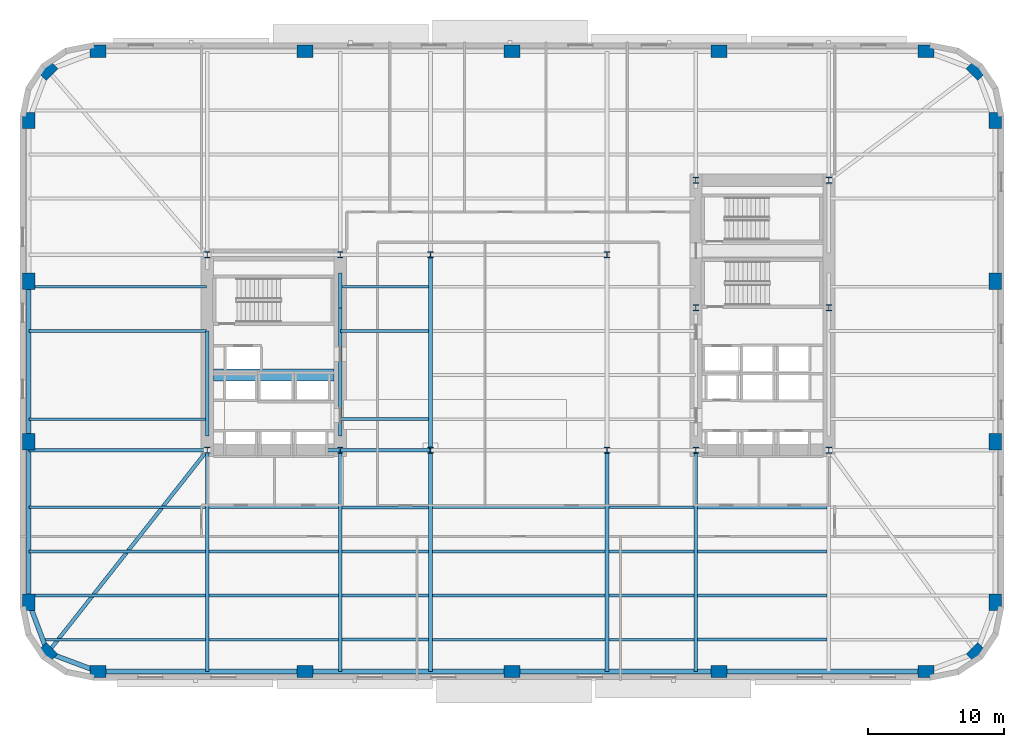
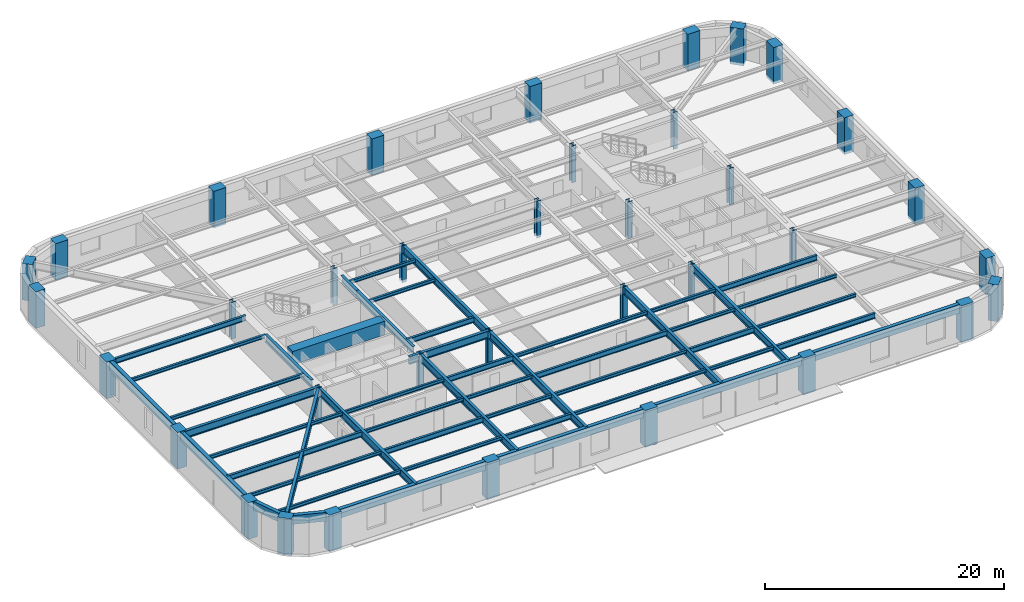
# One storey, part 1 of 14: 51 beams, 36 columns.
"""IFC4 building model written with IfcOpenShell, lengths in metres."""

from ifc_helpers import new_model, si_unit, direction, frame, origin, origin_2d, place, context, subcontext, project, spatial, rectangle, hollow_rectangle, i_section, extrude, material, material_profile, profile_set, type_object, element, save


model = new_model("IFC4")

# Units and contexts
model_context = context("Model", 3, precision=1e-05, world=origin(), true_north=direction((0.0, 1.0)))
body_context = subcontext(model_context, "Body", "Model", "MODEL_VIEW")
ifc_project = project(units=[si_unit("LENGTHUNIT", "METRE"), si_unit("AREAUNIT", "SQUARE_METRE"), si_unit("VOLUMEUNIT", "CUBIC_METRE"), si_unit("PLANEANGLEUNIT", "RADIAN"), si_unit("MASSUNIT", "GRAM", prefix="KILO")], contexts=[model_context])

# Site, building, storey
site_placement = place(None, origin())
site = spatial("IfcSite", under=ifc_project, at=site_placement, CompositionType="ELEMENT")
building_placement = place(site_placement, origin())
building = spatial("IfcBuilding", under=site, at=building_placement, Name="Kolvaren Arena Tower", CompositionType="ELEMENT")
storey_placement = place(building_placement, frame((0.0, 0.0, 53.25)))
storey = spatial("IfcBuildingStorey", under=building, at=storey_placement, Name="L10", CompositionType="ELEMENT", Elevation=53.25)

# Columns
ifc_material_1 = material(Name="Precast concrete C70/85", Category="concrete")
ifc_material_profile_1 = material_profile(ifc_material_1, rectangle(XDim=1.199951171875, YDim=0.89990234375, at=origin_2d()), Name="RC-1200x900")
ifc_profile_set_1 = profile_set([ifc_material_profile_1], Name="Precast concrete C70/85")
column_type_1 = type_object("IfcColumnType", Name="EXCOL-Z1", PredefinedType="COLUMN", material=ifc_profile_set_1)
for number, where, z_axis, x_axis, name in (
    (1, (6.5, 3.14990234375, -0.27001953125), (0.0, 0.0, 1.0), (1.0, 0.0, 0.0), "Exoskeleton Perimeter Column 01 (L10)"),
    (2, (21.75, 3.14990234375, -0.27001953125), (0.0, 0.0, 1.0), (1.0, 0.0, 0.0), "Exoskeleton Perimeter Column 02 (L10)"),
    (3, (37.0, 3.14990234375, -0.27001953125), (0.0, 0.0, 1.0), (1.0, 0.0, 0.0), "Exoskeleton Perimeter Column 03 (L10)"),
    (4, (52.25, 3.14990234375, -0.27001953125), (0.0, 0.0, 1.0), (1.0, 0.0, 0.0), "Exoskeleton Perimeter Column 04 (L10)"),
    (5, (67.5, 3.14990234375, -0.27001953125), (0.0, 0.0, 1.0), (1.0, 0.0, 0.0), "Exoskeleton Perimeter Column 05 (L10)"),
    (6, (71.208740234375, 4.541259765625, -0.27001953125), (0.0, 0.0, 1.0), (0.707106781187, 0.707106781187, 0.0), "Exoskeleton Perimeter Column 06 (L10)"),
    (7, (72.60009765625, 8.25, -0.27001953125), (0.0, 0.0, 1.0), (0.0, 1.0, 0.0), "Exoskeleton Perimeter Column 07 (L10)"),
    (8, (72.60009765625, 20.083251953125, -0.27001953125), (0.0, 0.0, 1.0), (0.0, 1.0, 0.0), "Exoskeleton Perimeter Column 08 (L10)"),
    (9, (72.60009765625, 31.916748046875, -0.27001953125), (0.0, 0.0, 1.0), (0.0, 1.0, 0.0), "Exoskeleton Perimeter Column 09 (L10)"),
    (10, (72.60009765625, 43.75, -0.27001953125), (0.0, 0.0, 1.0), (0.0, 1.0, 0.0), "Exoskeleton Perimeter Column 10 (L10)"),
    (11, (71.208740234375, 47.458740234375, -0.27001953125), (0.0, 0.0, 1.0), (-0.707106781187, 0.707106781187, 0.0), "Exoskeleton Perimeter Column 11 (L10)"),
    (12, (67.5, 48.85009765625, -0.27001953125), (0.0, 0.0, 1.0), (1.0, 0.0, 0.0), "Exoskeleton Perimeter Column 12 (L10)"),
    (13, (52.25, 48.85009765625, -0.27001953125), (0.0, 0.0, 1.0), (1.0, 0.0, 0.0), "Exoskeleton Perimeter Column 13 (L10)"),
    (14, (37.0, 48.85009765625, -0.27001953125), (0.0, 0.0, 1.0), (1.0, 0.0, 0.0), "Exoskeleton Perimeter Column 14 (L10)"),
    (15, (21.75, 48.85009765625, -0.27001953125), (0.0, 0.0, 1.0), (1.0, 0.0, 0.0), "Exoskeleton Perimeter Column 15 (L10)"),
    (16, (6.5, 48.85009765625, -0.27001953125), (0.0, 0.0, 1.0), (1.0, 0.0, 0.0), "Exoskeleton Perimeter Column 16 (L10)"),
    (17, (2.791259765625, 47.458740234375, -0.27001953125), (0.0, 0.0, 1.0), (0.707106781187, 0.707106781187, 0.0), "Exoskeleton Perimeter Column 17 (L10)"),
    (18, (1.39990234375, 43.75, -0.27001953125), (0.0, 0.0, 1.0), (0.0, 1.0, 0.0), "Exoskeleton Perimeter Column 18 (L10)"),
    (19, (1.39990234375, 31.916748046875, -0.27001953125), (0.0, 0.0, 1.0), (0.0, 1.0, 0.0), "Exoskeleton Perimeter Column 19 (L10)"),
    (20, (1.39990234375, 20.083251953125, -0.27001953125), (0.0, 0.0, 1.0), (0.0, 1.0, 0.0), "Exoskeleton Perimeter Column 20 (L10)"),
    (21, (1.39990234375, 8.25, -0.27001953125), (0.0, 0.0, 1.0), (0.0, 1.0, 0.0), "Exoskeleton Perimeter Column 21 (L10)"),
    (22, (2.791259765625, 4.541259765625, -0.27001953125), (0.0, 0.0, 1.0), (-0.707106781187, 0.707106781187, 0.0), "Exoskeleton Perimeter Column 22 (L10)"),
):
    element("IfcColumn", number, at=place(storey_placement, frame(where, z_axis=z_axis, x_axis=x_axis)), inside=storey, type_object=column_type_1, Name=name, PredefinedType="COLUMN", context=body_context, shape_type="SweptSolid", body=[
        extrude(rectangle(XDim=1.199951171875, YDim=0.89990234375, at=origin_2d()), origin(), (0.0, 0.0, 1.0), 3.75),
    ])
ifc_material_2 = material(Name="Steel ASTM A913 Grade 65", Category="steel")
ifc_material_profile_2 = material_profile(ifc_material_2, i_section(OverallWidth=0.424072265625, OverallDepth=0.47412109375, WebThickness=0.047607421875, FlangeThickness=0.076904296875, FilletRadius=0.02001953125, at=origin_2d()), Name="W360x634")
ifc_profile_set_2 = profile_set([ifc_material_profile_2], Name="Steel ASTM A913 Grade 65")
column_type_2 = type_object("IfcColumnType", Name="SCOL-Z1", PredefinedType="COLUMN", material=ifc_profile_set_2)
for number, where, z_axis, x_axis, name in (
    (23, (14.550048828125, 19.449951171875, -0.27001953125), (0.0, 0.0, 1.0), (1.0, 0.0, 0.0), "Core Boundary Column WC-SW (L10)"),
    (24, (24.35009765625, 19.449951171875, -0.27001953125), (0.0, 0.0, 1.0), (1.0, 0.0, 0.0), "Core Boundary Column WC-SE (L10)"),
    (25, (14.550048828125, 33.85009765625, -0.27001953125), (0.0, 0.0, 1.0), (1.0, 0.0, 0.0), "Core Boundary Column WC-NW (L10)"),
    (26, (24.35009765625, 33.85009765625, -0.27001953125), (0.0, 0.0, 1.0), (1.0, 0.0, 0.0), "Core Boundary Column WC-NE (L10)"),
    (27, (50.550048828125, 19.449951171875, -0.27001953125), (0.0, 0.0, 1.0), (1.0, 0.0, 0.0), "Core Boundary Column EC-SW (L10)"),
    (28, (60.35009765625, 19.449951171875, -0.27001953125), (0.0, 0.0, 1.0), (1.0, 0.0, 0.0), "Core Boundary Column EC-SE (L10)"),
    (29, (50.550048828125, 29.949951171875, -0.27001953125), (0.0, 0.0, 1.0), (1.0, 0.0, 0.0), "Core Boundary Column EC-MW (L10)"),
    (30, (60.35009765625, 29.949951171875, -0.27001953125), (0.0, 0.0, 1.0), (1.0, 0.0, 0.0), "Core Boundary Column EC-ME (L10)"),
    (31, (50.550048828125, 39.35009765625, -0.27001953125), (0.0, 0.0, 1.0), (1.0, 0.0, 0.0), "Core Boundary Column EC-NW (L10)"),
    (32, (60.35009765625, 39.35009765625, -0.27001953125), (0.0, 0.0, 1.0), (1.0, 0.0, 0.0), "Core Boundary Column EC-NE (L10)"),
    (33, (31.0, 19.449951171875, -0.27001953125), (0.0, 0.0, 1.0), (1.0, 0.0, 0.0), "Interior Gravity Column TC-SW (L10)"),
    (34, (44.0, 19.449951171875, -0.27001953125), (0.0, 0.0, 1.0), (1.0, 0.0, 0.0), "Interior Gravity Column TC-SE (L10)"),
    (35, (31.0, 33.85009765625, -0.27001953125), (0.0, 0.0, 1.0), (1.0, 0.0, 0.0), "Interior Gravity Column TC-NW (L10)"),
    (36, (44.0, 33.85009765625, -0.27001953125), (0.0, 0.0, 1.0), (1.0, 0.0, 0.0), "Interior Gravity Column TC-NE (L10)"),
):
    element("IfcColumn", number, at=place(storey_placement, frame(where, z_axis=z_axis, x_axis=x_axis)), inside=storey, type_object=column_type_2, Name=name, PredefinedType="COLUMN", context=body_context, shape_type="SweptSolid", body=[
        extrude(i_section(OverallWidth=0.424072265625, OverallDepth=0.47412109375, WebThickness=0.047607421875, FlangeThickness=0.076904296875, FilletRadius=0.02001953125, at=origin_2d()), origin(), (0.0, 0.0, 1.0), 3.75),
    ])

# Beams
ifc_material_3 = material(Name="Steel CSA G40.21 350W", Category="steel")
ifc_material_profile_3 = material_profile(ifc_material_3, i_section(OverallWidth=0.2119140625, OverallDepth=0.54296875, WebThickness=0.01318359375, FlangeThickness=0.0244140625, FilletRadius=0.013916015625, at=origin_2d()), Name="W530x150")
ifc_profile_set_3 = profile_set([ifc_material_profile_3], Name="Steel CSA G40.21 350W")
beam_type_1 = type_object("IfcBeamType", Name="BEAM-F1", PredefinedType="BEAM", material=ifc_profile_set_3)
beam_1_placement = place(storey_placement, frame((24.485107421875, 5.5, 3.20849609375), z_axis=(1.0, 0.0, 0.0), x_axis=(0.0, 1.0, 0.0)))
element("IfcBeam", 37, at=beam_1_placement, inside=storey, type_object=beam_type_1, Name="Composite Floor Beam (L10)", PredefinedType="BEAM", context=body_context, shape_type="SweptSolid", body=[
    extrude(i_section(OverallWidth=0.2119140625, OverallDepth=0.54296875, WebThickness=0.01318359375, FlangeThickness=0.0244140625, FilletRadius=0.013916015625, at=origin_2d()), origin(), (0.0, 0.0, 1.0), 6.3798828125),
])
for number, where, z_axis, x_axis, name in (
    (38, (50.68505859375, 5.5, 3.20849609375), (1.0, 0.0, 0.0), (0.0, 1.0, 0.0), "Composite Floor Beam (L10)"),
    (39, (14.68505859375, 8.75, 3.20849609375), (1.0, 0.0, 0.0), (0.0, 1.0, 0.0), "Composite Floor Beam (L10)"),
):
    element("IfcBeam", number, at=place(storey_placement, frame(where, z_axis=z_axis, x_axis=x_axis)), inside=storey, type_object=beam_type_1, Name=name, PredefinedType="BEAM", context=body_context, shape_type="SweptSolid", body=[
        extrude(i_section(OverallWidth=0.2119140625, OverallDepth=0.54296875, WebThickness=0.01318359375, FlangeThickness=0.0244140625, FilletRadius=0.013916015625, at=origin_2d()), origin(), (0.0, 0.0, 1.0), 9.530029296875),
    ])
beam_2_placement = place(storey_placement, frame((44.135009765625, 8.75, 3.20849609375), z_axis=(1.0, 0.0, 0.0), x_axis=(0.0, 1.0, 0.0)))
element("IfcBeam", 40, at=beam_2_placement, inside=storey, type_object=beam_type_1, Name="Composite Floor Beam (L10)", PredefinedType="BEAM", context=body_context, shape_type="SweptSolid", body=[
    extrude(i_section(OverallWidth=0.2119140625, OverallDepth=0.54296875, WebThickness=0.01318359375, FlangeThickness=0.0244140625, FilletRadius=0.013916015625, at=origin_2d()), origin(), (0.0, 0.0, 1.0), 6.280029296875),
])
beam_3_placement = place(storey_placement, frame((1.39990234375, 12.0, 3.20849609375), z_axis=(1.0, 0.0, 0.0), x_axis=(0.0, 1.0, 0.0)))
element("IfcBeam", 41, at=beam_3_placement, inside=storey, type_object=beam_type_1, Name="Composite Floor Beam (L10)", PredefinedType="BEAM", context=body_context, shape_type="SweptSolid", body=[
    extrude(i_section(OverallWidth=0.2119140625, OverallDepth=0.54296875, WebThickness=0.01318359375, FlangeThickness=0.0244140625, FilletRadius=0.013916015625, at=origin_2d()), origin(), (0.0, 0.0, 1.0), 13.01513671875),
])
beam_4_placement = place(storey_placement, frame((31.135009765625, 12.0, 3.20849609375), z_axis=(1.0, 0.0, 0.0), x_axis=(0.0, 1.0, 0.0)))
element("IfcBeam", 42, at=beam_4_placement, inside=storey, type_object=beam_type_1, Name="Composite Floor Beam (L10)", PredefinedType="BEAM", context=body_context, shape_type="SweptSolid", body=[
    extrude(i_section(OverallWidth=0.2119140625, OverallDepth=0.54296875, WebThickness=0.01318359375, FlangeThickness=0.0244140625, FilletRadius=0.013916015625, at=origin_2d()), origin(), (0.0, 0.0, 1.0), 12.72998046875),
])
beam_5_placement = place(storey_placement, frame((24.485107421875, 15.25, 3.20849609375), z_axis=(1.0, 0.0, 0.0), x_axis=(0.0, 1.0, 0.0)))
element("IfcBeam", 43, at=beam_5_placement, inside=storey, type_object=beam_type_1, Name="Composite Floor Beam (L10)", PredefinedType="BEAM", context=body_context, shape_type="SweptSolid", body=[
    extrude(i_section(OverallWidth=0.2119140625, OverallDepth=0.54296875, WebThickness=0.01318359375, FlangeThickness=0.0244140625, FilletRadius=0.013916015625, at=origin_2d()), origin(), (0.0, 0.0, 1.0), 6.3798828125),
])
beam_6_placement = place(storey_placement, frame((50.68505859375, 15.25, 3.20849609375), z_axis=(1.0, 0.0, 0.0), x_axis=(0.0, 1.0, 0.0)))
element("IfcBeam", 44, at=beam_6_placement, inside=storey, type_object=beam_type_1, Name="Composite Floor Beam (L10)", PredefinedType="BEAM", context=body_context, shape_type="SweptSolid", body=[
    extrude(i_section(OverallWidth=0.2119140625, OverallDepth=0.54296875, WebThickness=0.01318359375, FlangeThickness=0.0244140625, FilletRadius=0.013916015625, at=origin_2d()), origin(), (0.0, 0.0, 1.0), 9.530029296875),
])
beam_7_placement = place(storey_placement, frame((24.3701171875, 21.75, 3.20849609375), z_axis=(1.0, 0.0, 0.0), x_axis=(0.0, 1.0, 0.0)))
element("IfcBeam", 45, at=beam_7_placement, inside=storey, type_object=beam_type_1, Name="Composite Floor Beam (L10)", PredefinedType="BEAM", context=body_context, shape_type="SweptSolid", body=[
    extrude(i_section(OverallWidth=0.2119140625, OverallDepth=0.54296875, WebThickness=0.01318359375, FlangeThickness=0.0244140625, FilletRadius=0.013916015625, at=origin_2d()), origin(), (0.0, 0.0, 1.0), 6.494873046875),
])
beam_8_placement = place(storey_placement, frame((1.39990234375, 31.5, 3.20849609375), z_axis=(1.0, 0.0, 0.0), x_axis=(0.0, 1.0, 0.0)))
element("IfcBeam", 46, at=beam_8_placement, inside=storey, type_object=beam_type_1, Name="Composite Floor Beam (L10)", PredefinedType="BEAM", context=body_context, shape_type="SweptSolid", body=[
    extrude(i_section(OverallWidth=0.2119140625, OverallDepth=0.54296875, WebThickness=0.01318359375, FlangeThickness=0.0244140625, FilletRadius=0.013916015625, at=origin_2d()), origin(), (0.0, 0.0, 1.0), 13.080078125),
])
ifc_material_4 = material(Name="Concrete 75 MPa", Category="concrete")
ifc_material_profile_4 = material_profile(ifc_material_4, rectangle(XDim=0.89990234375, YDim=1.39990234375, at=origin_2d()), Name="RC-900x1400")
ifc_profile_set_4 = profile_set([ifc_material_profile_4], Name="Concrete 75 MPa")
beam_type_2 = type_object("IfcBeamType", Name="CB-CORE-1", PredefinedType="BEAM", material=ifc_profile_set_4)
beam_9_placement = place(storey_placement, frame((15.0, 25.0, 3.050048828125), z_axis=(1.0, 0.0, 0.0), x_axis=(0.0, 1.0, 0.0)))
element("IfcBeam", 47, at=beam_9_placement, inside=storey, type_object=beam_type_2, Name="West Core Coupling Beam (L10)", PredefinedType="BEAM", context=body_context, shape_type="SweptSolid", body=[
    extrude(rectangle(XDim=0.89990234375, YDim=1.39990234375, at=origin_2d()), origin(), (0.0, 0.0, 1.0), 8.89990234375),
])
ifc_material_profile_5 = material_profile(ifc_material_3, i_section(OverallWidth=0.27001953125, OverallDepth=0.77294921875, WebThickness=0.019287109375, FlangeThickness=0.033447265625, FilletRadius=0.01806640625, at=origin_2d()), Name="W760x257")
ifc_profile_set_5 = profile_set([ifc_material_profile_5], Name="Steel CSA G40.21 350W")
beam_type_3 = type_object("IfcBeamType", Name="GIRD-T1", PredefinedType="BEAM", material=ifc_profile_set_5)
beam_10_placement = place(storey_placement, frame((2.791259765625, 4.541259765625, 3.093505859375), z_axis=(0.61927986086, 0.785170334343, 0.0), x_axis=(-0.785170334343, 0.61927986086, 0.0)))
element("IfcBeam", 48, at=beam_10_placement, inside=storey, type_object=beam_type_3, Name="Corner Diagonal Tie Girder (L10)", PredefinedType="BEAM", context=body_context, shape_type="SweptSolid", body=[
    extrude(i_section(OverallWidth=0.27001953125, OverallDepth=0.77294921875, WebThickness=0.019287109375, FlangeThickness=0.033447265625, FilletRadius=0.01806640625, at=origin_2d()), origin(), (0.0, 0.0, 1.0), 18.98779296875),
])
beam_11_placement = place(storey_placement, frame((1.39990234375, 19.449951171875, 3.093505859375), z_axis=(1.0, 0.0, 0.0), x_axis=(0.0, 1.0, 0.0)))
element("IfcBeam", 49, at=beam_11_placement, inside=storey, type_object=beam_type_3, Name="Primary Floor Girder (L10)", PredefinedType="BEAM", context=body_context, shape_type="SweptSolid", body=[
    extrude(i_section(OverallWidth=0.27001953125, OverallDepth=0.77294921875, WebThickness=0.019287109375, FlangeThickness=0.033447265625, FilletRadius=0.01806640625, at=origin_2d()), origin(), (0.0, 0.0, 1.0), 13.150146484375),
])
beam_12_placement = place(storey_placement, frame((23.2451171875, 19.449951171875, 3.093505859375), z_axis=(1.0, 0.0, 0.0), x_axis=(0.0, 1.0, 0.0)))
element("IfcBeam", 50, at=beam_12_placement, inside=storey, type_object=beam_type_3, Name="Primary Floor Girder (L10)", PredefinedType="BEAM", context=body_context, shape_type="SweptSolid", body=[
    extrude(i_section(OverallWidth=0.27001953125, OverallDepth=0.77294921875, WebThickness=0.019287109375, FlangeThickness=0.033447265625, FilletRadius=0.01806640625, at=origin_2d()), origin(), (0.0, 0.0, 1.0), 7.7548828125),
])
beam_13_placement = place(storey_placement, frame((14.550048828125, 3.14990234375, 3.093505859375), z_axis=(0.0, 1.0, 0.0), x_axis=(-1.0, 0.0, 0.0)))
element("IfcBeam", 51, at=beam_13_placement, inside=storey, type_object=beam_type_3, Name="Primary Floor Girder (L10)", PredefinedType="BEAM", context=body_context, shape_type="SweptSolid", body=[
    extrude(i_section(OverallWidth=0.27001953125, OverallDepth=0.77294921875, WebThickness=0.019287109375, FlangeThickness=0.033447265625, FilletRadius=0.01806640625, at=origin_2d()), origin(), (0.0, 0.0, 1.0), 16.300048828125),
])
beam_14_placement = place(storey_placement, frame((14.550048828125, 20.5, 3.093505859375), z_axis=(0.0, 1.0, 0.0), x_axis=(-1.0, 0.0, 0.0)))
element("IfcBeam", 52, at=beam_14_placement, inside=storey, type_object=beam_type_3, Name="Primary Floor Girder (L10)", PredefinedType="BEAM", context=body_context, shape_type="SweptSolid", body=[
    extrude(i_section(OverallWidth=0.27001953125, OverallDepth=0.77294921875, WebThickness=0.019287109375, FlangeThickness=0.033447265625, FilletRadius=0.01806640625, at=origin_2d()), origin(), (0.0, 0.0, 1.0), 7.739990234375),
])
beam_15_placement = place(storey_placement, frame((24.35009765625, 3.14990234375, 3.093505859375), z_axis=(0.0, 1.0, 0.0), x_axis=(-1.0, 0.0, 0.0)))
element("IfcBeam", 53, at=beam_15_placement, inside=storey, type_object=beam_type_3, Name="Primary Floor Girder (L10)", PredefinedType="BEAM", context=body_context, shape_type="SweptSolid", body=[
    extrude(i_section(OverallWidth=0.27001953125, OverallDepth=0.77294921875, WebThickness=0.019287109375, FlangeThickness=0.033447265625, FilletRadius=0.01806640625, at=origin_2d()), origin(), (0.0, 0.0, 1.0), 16.300048828125),
])
beam_16_placement = place(storey_placement, frame((24.35009765625, 20.5, 3.093505859375), z_axis=(0.0, 1.0, 0.0), x_axis=(-1.0, 0.0, 0.0)))
element("IfcBeam", 54, at=beam_16_placement, inside=storey, type_object=beam_type_3, Name="Primary Floor Girder (L10)", PredefinedType="BEAM", context=body_context, shape_type="SweptSolid", body=[
    extrude(i_section(OverallWidth=0.27001953125, OverallDepth=0.77294921875, WebThickness=0.019287109375, FlangeThickness=0.033447265625, FilletRadius=0.01806640625, at=origin_2d()), origin(), (0.0, 0.0, 1.0), 9.449951171875),
])
beam_17_placement = place(storey_placement, frame((24.35009765625, 29.949951171875, 3.093505859375), z_axis=(0.0, 1.0, 0.0), x_axis=(-1.0, 0.0, 0.0)))
element("IfcBeam", 55, at=beam_17_placement, inside=storey, type_object=beam_type_3, Name="Primary Floor Girder (L10)", PredefinedType="BEAM", context=body_context, shape_type="SweptSolid", body=[
    extrude(i_section(OverallWidth=0.27001953125, OverallDepth=0.77294921875, WebThickness=0.019287109375, FlangeThickness=0.033447265625, FilletRadius=0.01806640625, at=origin_2d()), origin(), (0.0, 0.0, 1.0), 2.550048828125),
])
beam_18_placement = place(storey_placement, frame((31.0, 3.14990234375, 3.093505859375), z_axis=(0.0, 1.0, 0.0), x_axis=(-1.0, 0.0, 0.0)))
element("IfcBeam", 56, at=beam_18_placement, inside=storey, type_object=beam_type_3, Name="Primary Floor Girder (L10)", PredefinedType="BEAM", context=body_context, shape_type="SweptSolid", body=[
    extrude(i_section(OverallWidth=0.27001953125, OverallDepth=0.77294921875, WebThickness=0.019287109375, FlangeThickness=0.033447265625, FilletRadius=0.01806640625, at=origin_2d()), origin(), (0.0, 0.0, 1.0), 16.300048828125),
])
beam_19_placement = place(storey_placement, frame((31.0, 19.449951171875, 3.093505859375), z_axis=(0.0, 1.0, 0.0), x_axis=(-1.0, 0.0, 0.0)))
element("IfcBeam", 57, at=beam_19_placement, inside=storey, type_object=beam_type_3, Name="Primary Floor Girder (L10)", PredefinedType="BEAM", context=body_context, shape_type="SweptSolid", body=[
    extrude(i_section(OverallWidth=0.27001953125, OverallDepth=0.77294921875, WebThickness=0.019287109375, FlangeThickness=0.033447265625, FilletRadius=0.01806640625, at=origin_2d()), origin(), (0.0, 0.0, 1.0), 14.400146484375),
])
for number, where, z_axis, x_axis, name in (
    (58, (44.0, 3.14990234375, 3.093505859375), (0.0, 1.0, 0.0), (-1.0, 0.0, 0.0), "Primary Floor Girder (L10)"),
    (59, (50.550048828125, 3.14990234375, 3.093505859375), (0.0, 1.0, 0.0), (-1.0, 0.0, 0.0), "Primary Floor Girder (L10)"),
):
    element("IfcBeam", number, at=place(storey_placement, frame(where, z_axis=z_axis, x_axis=x_axis)), inside=storey, type_object=beam_type_3, Name=name, PredefinedType="BEAM", context=body_context, shape_type="SweptSolid", body=[
        extrude(i_section(OverallWidth=0.27001953125, OverallDepth=0.77294921875, WebThickness=0.019287109375, FlangeThickness=0.033447265625, FilletRadius=0.01806640625, at=origin_2d()), origin(), (0.0, 0.0, 1.0), 16.300048828125),
    ])
ifc_material_profile_6 = material_profile(ifc_material_3, i_section(OverallWidth=0.202880859375, OverallDepth=0.346923828125, WebThickness=0.0078125, FlangeThickness=0.013427734375, FilletRadius=0.010986328125, at=origin_2d()), Name="W360x64")
ifc_profile_set_6 = profile_set([ifc_material_profile_6], Name="Steel CSA G40.21 350W")
beam_type_4 = type_object("IfcBeamType", Name="JOIST-01", PredefinedType="JOIST", material=ifc_profile_set_6)
beam_20_placement = place(storey_placement, frame((2.431396484375, 5.5, 3.306396484375), z_axis=(1.0, 0.0, 0.0), x_axis=(0.0, 1.0, 0.0)))
element("IfcBeam", 60, at=beam_20_placement, inside=storey, type_object=beam_type_4, Name="Composite Floor Joist (L10)", PredefinedType="JOIST", context=body_context, shape_type="SweptSolid", body=[
    extrude(i_section(OverallWidth=0.202880859375, OverallDepth=0.346923828125, WebThickness=0.0078125, FlangeThickness=0.013427734375, FilletRadius=0.010986328125, at=origin_2d()), origin(), (0.0, 0.0, 1.0), 11.983642578125),
])
beam_21_placement = place(storey_placement, frame((14.68505859375, 5.5, 3.306396484375), z_axis=(1.0, 0.0, 0.0), x_axis=(0.0, 1.0, 0.0)))
element("IfcBeam", 61, at=beam_21_placement, inside=storey, type_object=beam_type_4, Name="Composite Floor Joist (L10)", PredefinedType="JOIST", context=body_context, shape_type="SweptSolid", body=[
    extrude(i_section(OverallWidth=0.202880859375, OverallDepth=0.346923828125, WebThickness=0.0078125, FlangeThickness=0.013427734375, FilletRadius=0.010986328125, at=origin_2d()), origin(), (0.0, 0.0, 1.0), 9.530029296875),
])
beam_22_placement = place(storey_placement, frame((31.135009765625, 5.5, 3.306396484375), z_axis=(1.0, 0.0, 0.0), x_axis=(0.0, 1.0, 0.0)))
element("IfcBeam", 62, at=beam_22_placement, inside=storey, type_object=beam_type_4, Name="Composite Floor Joist (L10)", PredefinedType="JOIST", context=body_context, shape_type="SweptSolid", body=[
    extrude(i_section(OverallWidth=0.202880859375, OverallDepth=0.346923828125, WebThickness=0.0078125, FlangeThickness=0.013427734375, FilletRadius=0.010986328125, at=origin_2d()), origin(), (0.0, 0.0, 1.0), 12.72998046875),
])
beam_23_placement = place(storey_placement, frame((44.135009765625, 5.5, 3.306396484375), z_axis=(1.0, 0.0, 0.0), x_axis=(0.0, 1.0, 0.0)))
element("IfcBeam", 63, at=beam_23_placement, inside=storey, type_object=beam_type_4, Name="Composite Floor Joist (L10)", PredefinedType="JOIST", context=body_context, shape_type="SweptSolid", body=[
    extrude(i_section(OverallWidth=0.202880859375, OverallDepth=0.346923828125, WebThickness=0.0078125, FlangeThickness=0.013427734375, FilletRadius=0.010986328125, at=origin_2d()), origin(), (0.0, 0.0, 1.0), 6.280029296875),
])
beam_24_placement = place(storey_placement, frame((1.39990234375, 8.75, 3.306396484375), z_axis=(1.0, 0.0, 0.0), x_axis=(0.0, 1.0, 0.0)))
element("IfcBeam", 64, at=beam_24_placement, inside=storey, type_object=beam_type_4, Name="Composite Floor Joist (L10)", PredefinedType="JOIST", context=body_context, shape_type="SweptSolid", body=[
    extrude(i_section(OverallWidth=0.202880859375, OverallDepth=0.346923828125, WebThickness=0.0078125, FlangeThickness=0.013427734375, FilletRadius=0.010986328125, at=origin_2d()), origin(), (0.0, 0.0, 1.0), 13.01513671875),
])
beam_25_placement = place(storey_placement, frame((24.485107421875, 8.75, 3.306396484375), z_axis=(1.0, 0.0, 0.0), x_axis=(0.0, 1.0, 0.0)))
element("IfcBeam", 65, at=beam_25_placement, inside=storey, type_object=beam_type_4, Name="Composite Floor Joist (L10)", PredefinedType="JOIST", context=body_context, shape_type="SweptSolid", body=[
    extrude(i_section(OverallWidth=0.202880859375, OverallDepth=0.346923828125, WebThickness=0.0078125, FlangeThickness=0.013427734375, FilletRadius=0.010986328125, at=origin_2d()), origin(), (0.0, 0.0, 1.0), 6.3798828125),
])
beam_26_placement = place(storey_placement, frame((31.135009765625, 8.75, 3.306396484375), z_axis=(1.0, 0.0, 0.0), x_axis=(0.0, 1.0, 0.0)))
element("IfcBeam", 66, at=beam_26_placement, inside=storey, type_object=beam_type_4, Name="Composite Floor Joist (L10)", PredefinedType="JOIST", context=body_context, shape_type="SweptSolid", body=[
    extrude(i_section(OverallWidth=0.202880859375, OverallDepth=0.346923828125, WebThickness=0.0078125, FlangeThickness=0.013427734375, FilletRadius=0.010986328125, at=origin_2d()), origin(), (0.0, 0.0, 1.0), 12.72998046875),
])
for number, where, z_axis, x_axis, name in (
    (67, (50.68505859375, 8.75, 3.306396484375), (1.0, 0.0, 0.0), (0.0, 1.0, 0.0), "Composite Floor Joist (L10)"),
    (68, (14.68505859375, 12.0, 3.306396484375), (1.0, 0.0, 0.0), (0.0, 1.0, 0.0), "Composite Floor Joist (L10)"),
):
    element("IfcBeam", number, at=place(storey_placement, frame(where, z_axis=z_axis, x_axis=x_axis)), inside=storey, type_object=beam_type_4, Name=name, PredefinedType="JOIST", context=body_context, shape_type="SweptSolid", body=[
        extrude(i_section(OverallWidth=0.202880859375, OverallDepth=0.346923828125, WebThickness=0.0078125, FlangeThickness=0.013427734375, FilletRadius=0.010986328125, at=origin_2d()), origin(), (0.0, 0.0, 1.0), 9.530029296875),
    ])
beam_27_placement = place(storey_placement, frame((24.485107421875, 12.0, 3.306396484375), z_axis=(1.0, 0.0, 0.0), x_axis=(0.0, 1.0, 0.0)))
element("IfcBeam", 69, at=beam_27_placement, inside=storey, type_object=beam_type_4, Name="Composite Floor Joist (L10)", PredefinedType="JOIST", context=body_context, shape_type="SweptSolid", body=[
    extrude(i_section(OverallWidth=0.202880859375, OverallDepth=0.346923828125, WebThickness=0.0078125, FlangeThickness=0.013427734375, FilletRadius=0.010986328125, at=origin_2d()), origin(), (0.0, 0.0, 1.0), 6.3798828125),
])
beam_28_placement = place(storey_placement, frame((44.135009765625, 12.0, 3.306396484375), z_axis=(1.0, 0.0, 0.0), x_axis=(0.0, 1.0, 0.0)))
element("IfcBeam", 70, at=beam_28_placement, inside=storey, type_object=beam_type_4, Name="Composite Floor Joist (L10)", PredefinedType="JOIST", context=body_context, shape_type="SweptSolid", body=[
    extrude(i_section(OverallWidth=0.202880859375, OverallDepth=0.346923828125, WebThickness=0.0078125, FlangeThickness=0.013427734375, FilletRadius=0.010986328125, at=origin_2d()), origin(), (0.0, 0.0, 1.0), 6.280029296875),
])
beam_29_placement = place(storey_placement, frame((50.68505859375, 12.0, 3.306396484375), z_axis=(1.0, 0.0, 0.0), x_axis=(0.0, 1.0, 0.0)))
element("IfcBeam", 71, at=beam_29_placement, inside=storey, type_object=beam_type_4, Name="Composite Floor Joist (L10)", PredefinedType="JOIST", context=body_context, shape_type="SweptSolid", body=[
    extrude(i_section(OverallWidth=0.202880859375, OverallDepth=0.346923828125, WebThickness=0.0078125, FlangeThickness=0.013427734375, FilletRadius=0.010986328125, at=origin_2d()), origin(), (0.0, 0.0, 1.0), 9.530029296875),
])
beam_30_placement = place(storey_placement, frame((1.39990234375, 15.25, 3.306396484375), z_axis=(1.0, 0.0, 0.0), x_axis=(0.0, 1.0, 0.0)))
element("IfcBeam", 72, at=beam_30_placement, inside=storey, type_object=beam_type_4, Name="Composite Floor Joist (L10)", PredefinedType="JOIST", context=body_context, shape_type="SweptSolid", body=[
    extrude(i_section(OverallWidth=0.202880859375, OverallDepth=0.346923828125, WebThickness=0.0078125, FlangeThickness=0.013427734375, FilletRadius=0.010986328125, at=origin_2d()), origin(), (0.0, 0.0, 1.0), 13.01513671875),
])
beam_31_placement = place(storey_placement, frame((14.68505859375, 15.25, 3.306396484375), z_axis=(1.0, 0.0, 0.0), x_axis=(0.0, 1.0, 0.0)))
element("IfcBeam", 73, at=beam_31_placement, inside=storey, type_object=beam_type_4, Name="Composite Floor Joist (L10)", PredefinedType="JOIST", context=body_context, shape_type="SweptSolid", body=[
    extrude(i_section(OverallWidth=0.202880859375, OverallDepth=0.346923828125, WebThickness=0.0078125, FlangeThickness=0.013427734375, FilletRadius=0.010986328125, at=origin_2d()), origin(), (0.0, 0.0, 1.0), 9.530029296875),
])
beam_32_placement = place(storey_placement, frame((31.135009765625, 15.25, 3.306396484375), z_axis=(1.0, 0.0, 0.0), x_axis=(0.0, 1.0, 0.0)))
element("IfcBeam", 74, at=beam_32_placement, inside=storey, type_object=beam_type_4, Name="Composite Floor Joist (L10)", PredefinedType="JOIST", context=body_context, shape_type="SweptSolid", body=[
    extrude(i_section(OverallWidth=0.202880859375, OverallDepth=0.346923828125, WebThickness=0.0078125, FlangeThickness=0.013427734375, FilletRadius=0.010986328125, at=origin_2d()), origin(), (0.0, 0.0, 1.0), 12.72998046875),
])
beam_33_placement = place(storey_placement, frame((44.135009765625, 15.25, 3.306396484375), z_axis=(1.0, 0.0, 0.0), x_axis=(0.0, 1.0, 0.0)))
element("IfcBeam", 75, at=beam_33_placement, inside=storey, type_object=beam_type_4, Name="Composite Floor Joist (L10)", PredefinedType="JOIST", context=body_context, shape_type="SweptSolid", body=[
    extrude(i_section(OverallWidth=0.202880859375, OverallDepth=0.346923828125, WebThickness=0.0078125, FlangeThickness=0.013427734375, FilletRadius=0.010986328125, at=origin_2d()), origin(), (0.0, 0.0, 1.0), 6.280029296875),
])
beam_34_placement = place(storey_placement, frame((1.39990234375, 21.75, 3.306396484375), z_axis=(1.0, 0.0, 0.0), x_axis=(0.0, 1.0, 0.0)))
element("IfcBeam", 76, at=beam_34_placement, inside=storey, type_object=beam_type_4, Name="Composite Floor Joist (L10)", PredefinedType="JOIST", context=body_context, shape_type="SweptSolid", body=[
    extrude(i_section(OverallWidth=0.202880859375, OverallDepth=0.346923828125, WebThickness=0.0078125, FlangeThickness=0.013427734375, FilletRadius=0.010986328125, at=origin_2d()), origin(), (0.0, 0.0, 1.0), 13.130126953125),
])
beam_35_placement = place(storey_placement, frame((1.39990234375, 28.25, 3.306396484375), z_axis=(1.0, 0.0, 0.0), x_axis=(0.0, 1.0, 0.0)))
element("IfcBeam", 77, at=beam_35_placement, inside=storey, type_object=beam_type_4, Name="Composite Floor Joist (L10)", PredefinedType="JOIST", context=body_context, shape_type="SweptSolid", body=[
    extrude(i_section(OverallWidth=0.202880859375, OverallDepth=0.346923828125, WebThickness=0.0078125, FlangeThickness=0.013427734375, FilletRadius=0.010986328125, at=origin_2d()), origin(), (0.0, 0.0, 1.0), 13.080078125),
])
for number, where, z_axis, x_axis, name in (
    (78, (24.3701171875, 28.25, 3.306396484375), (1.0, 0.0, 0.0), (0.0, 1.0, 0.0), "Composite Floor Joist (L10)"),
    (79, (24.3701171875, 31.5, 3.306396484375), (1.0, 0.0, 0.0), (0.0, 1.0, 0.0), "Composite Floor Joist (L10)"),
):
    element("IfcBeam", number, at=place(storey_placement, frame(where, z_axis=z_axis, x_axis=x_axis)), inside=storey, type_object=beam_type_4, Name=name, PredefinedType="JOIST", context=body_context, shape_type="SweptSolid", body=[
        extrude(i_section(OverallWidth=0.202880859375, OverallDepth=0.346923828125, WebThickness=0.0078125, FlangeThickness=0.013427734375, FilletRadius=0.010986328125, at=origin_2d()), origin(), (0.0, 0.0, 1.0), 6.494873046875),
    ])
ifc_material_5 = material(Name="Steel CSA G40.21 350WT", Category="steel")
ifc_material_profile_7 = material_profile(ifc_material_5, hollow_rectangle(XDim=0.35009765625, YDim=0.89990234375, WallThickness=0.02001953125, at=origin_2d()), Name="HSS 900x350x20")
ifc_profile_set_7 = profile_set([ifc_material_profile_7], Name="Steel CSA G40.21 350WT")
beam_type_5 = type_object("IfcBeamType", Name="SPAND-01", PredefinedType="SPANDREL", material=ifc_profile_set_7)
for number, where, z_axis, x_axis, name in (
    (80, (6.5, 3.14990234375, 3.030029296875), (1.0, 0.0, 0.0), (0.0, 1.0, 0.0), "Perimeter Spandrel Beam (L10)"),
    (81, (21.75, 3.14990234375, 3.030029296875), (1.0, 0.0, 0.0), (0.0, 1.0, 0.0), "Perimeter Spandrel Beam (L10)"),
    (82, (37.0, 3.14990234375, 3.030029296875), (1.0, 0.0, 0.0), (0.0, 1.0, 0.0), "Perimeter Spandrel Beam (L10)"),
    (83, (52.25, 3.14990234375, 3.030029296875), (1.0, 0.0, 0.0), (0.0, 1.0, 0.0), "Perimeter Spandrel Beam (L10)"),
):
    element("IfcBeam", number, at=place(storey_placement, frame(where, z_axis=z_axis, x_axis=x_axis)), inside=storey, type_object=beam_type_5, Name=name, PredefinedType="SPANDREL", context=body_context, shape_type="SweptSolid", body=[
        extrude(hollow_rectangle(XDim=0.35009765625, YDim=0.89990234375, WallThickness=0.02001953125, at=origin_2d()), origin(), (0.0, 0.0, 1.0), 15.25),
    ])
beam_36_placement = place(storey_placement, frame((1.39990234375, 31.916748046875, 3.030029296875), z_axis=(0.0, -1.0, 0.0), x_axis=(1.0, 0.0, 0.0)))
element("IfcBeam", 84, at=beam_36_placement, inside=storey, type_object=beam_type_5, Name="Perimeter Spandrel Beam (L10)", PredefinedType="SPANDREL", context=body_context, shape_type="SweptSolid", body=[
    extrude(hollow_rectangle(XDim=0.35009765625, YDim=0.89990234375, WallThickness=0.02001953125, at=origin_2d()), origin(), (0.0, 0.0, 1.0), 11.83349609375),
])
beam_37_placement = place(storey_placement, frame((1.39990234375, 20.083251953125, 3.030029296875), z_axis=(0.0, -1.0, 0.0), x_axis=(1.0, 0.0, 0.0)))
element("IfcBeam", 85, at=beam_37_placement, inside=storey, type_object=beam_type_5, Name="Perimeter Spandrel Beam (L10)", PredefinedType="SPANDREL", context=body_context, shape_type="SweptSolid", body=[
    extrude(hollow_rectangle(XDim=0.35009765625, YDim=0.89990234375, WallThickness=0.02001953125, at=origin_2d()), origin(), (0.0, 0.0, 1.0), 11.833251953125),
])
for number, where, z_axis, x_axis, name in (
    (86, (1.39990234375, 8.25, 3.030029296875), (0.351251771955, -0.93628104365, 0.0), (0.93628104365, 0.351251771955, 0.0), "Perimeter Spandrel Beam (L10)"),
    (87, (2.791259765625, 4.541259765625, 3.030029296875), (0.93628104365, -0.351251771955, 0.0), (0.351251771955, 0.93628104365, 0.0), "Perimeter Spandrel Beam (L10)"),
):
    element("IfcBeam", number, at=place(storey_placement, frame(where, z_axis=z_axis, x_axis=x_axis)), inside=storey, type_object=beam_type_5, Name=name, PredefinedType="SPANDREL", context=body_context, shape_type="SweptSolid", body=[
        extrude(hollow_rectangle(XDim=0.35009765625, YDim=0.89990234375, WallThickness=0.02001953125, at=origin_2d()), origin(), (0.0, 0.0, 1.0), 3.961181640625),
    ])

save(model, "model.ifc")
